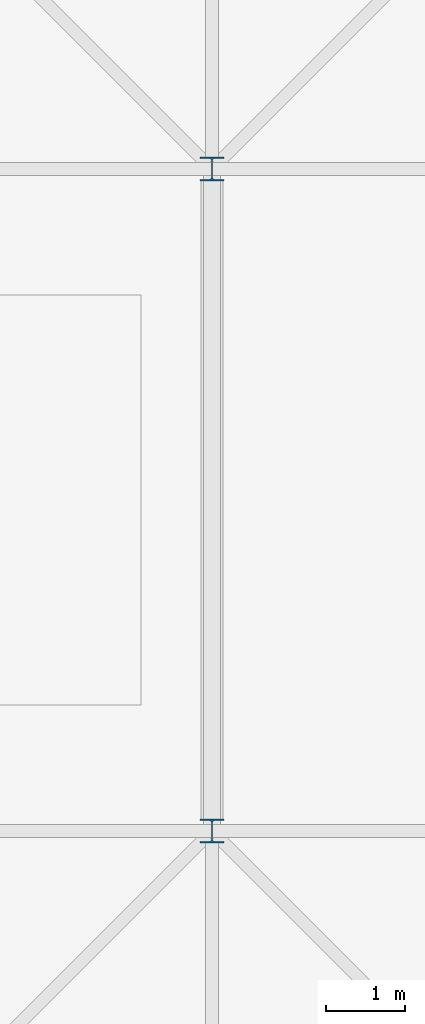
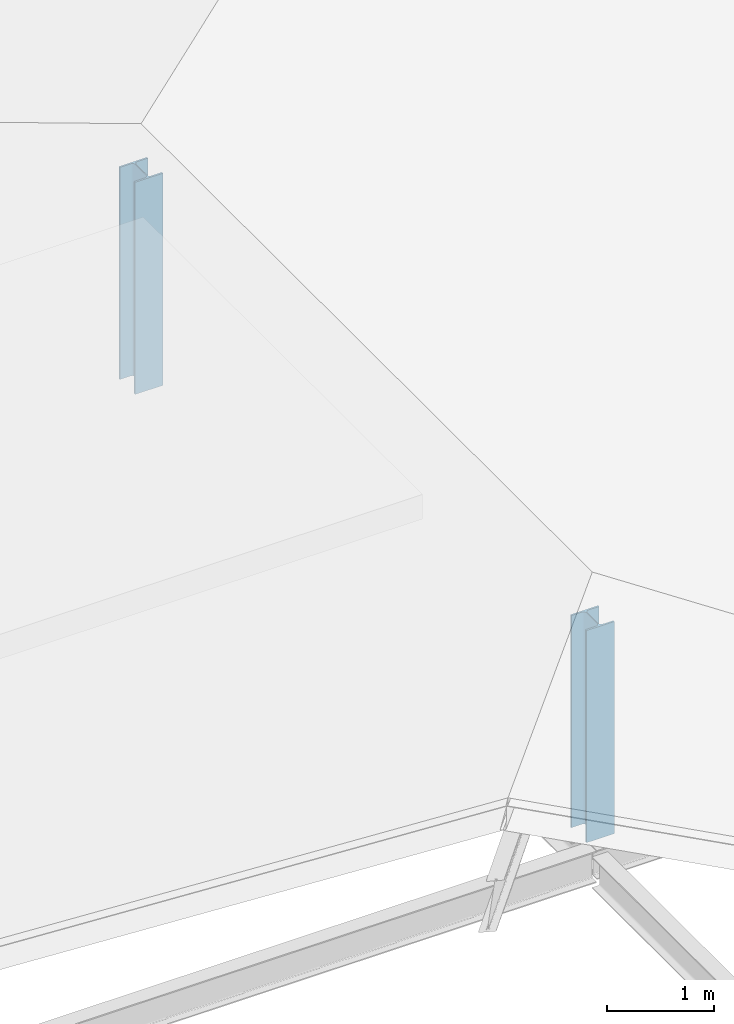
# One storey, part 2 of 103: 2 columns.
"""IFC4 building model written with IfcOpenShell, lengths in metres."""

from ifc_helpers import new_model, si_unit, direction, frame, origin, origin_2d, place, context, subcontext, project, spatial, i_section, extrude, material, material_profile, profile_set, type_object, element, save


model = new_model("IFC4")

# Units and contexts
model_context = context("Model", 3, precision=1e-05, world=origin(), true_north=direction((0.0, 1.0)))
body_context = subcontext(model_context, "Body", "Model", "MODEL_VIEW")
ifc_project = project(units=[si_unit("LENGTHUNIT", "METRE"), si_unit("AREAUNIT", "SQUARE_METRE"), si_unit("VOLUMEUNIT", "CUBIC_METRE"), si_unit("PLANEANGLEUNIT", "RADIAN"), si_unit("MASSUNIT", "GRAM", prefix="KILO")], contexts=[model_context])

# Site, building, storey
site_placement = place(None, origin())
site = spatial("IfcSite", under=ifc_project, at=site_placement, CompositionType="ELEMENT")
building_placement = place(site_placement, origin())
building = spatial("IfcBuilding", under=site, at=building_placement, Name="Mersafa Astral City Hall", CompositionType="ELEMENT")
storey_placement = place(building_placement, frame((0.0, 0.0, 18.0)))
storey = spatial("IfcBuildingStorey", under=building, at=storey_placement, Name="L04", CompositionType="ELEMENT", Elevation=18.0)

# Columns
ifc_material = material(Name="Steel S355", Category="steel")
ifc_material_profile = material_profile(ifc_material, i_section(OverallWidth=0.300048828125, OverallDepth=0.300048828125, WebThickness=0.010986328125, FlangeThickness=0.01904296875, FilletRadius=0.027099609375, at=origin_2d()), Name="HEB 300")
ifc_profile_set = profile_set([ifc_material_profile], Name="Steel S355")
column_type = type_object("IfcColumnType", Name="STR-COL-HEB300", PredefinedType="COLUMN", material=ifc_profile_set)
for number, where, z_axis, x_axis, name in (
    (1, (126.0, 16.800048828125, 0.0), (0.0, 0.0, 1.0), (1.0, 0.0, 0.0), "L04 Roof ridge king-post column ROOF-T2-V3-1"),
    (2, (126.0, 25.199951171875, 0.0), (0.0, 0.0, 1.0), (1.0, 0.0, 0.0), "L04 Roof ridge king-post column ROOF-T2-V3-2"),
):
    element("IfcColumn", number, at=place(storey_placement, frame(where, z_axis=z_axis, x_axis=x_axis)), inside=storey, type_object=column_type, Name=name, PredefinedType="COLUMN", context=body_context, shape_type="SweptSolid", body=[
        extrude(i_section(OverallWidth=0.300048828125, OverallDepth=0.300048828125, WebThickness=0.010986328125, FlangeThickness=0.01904296875, FilletRadius=0.027099609375, at=origin_2d()), origin(), (0.0, 0.0, 1.0), 2.410888671875),
    ])

save(model, "model.ifc")
